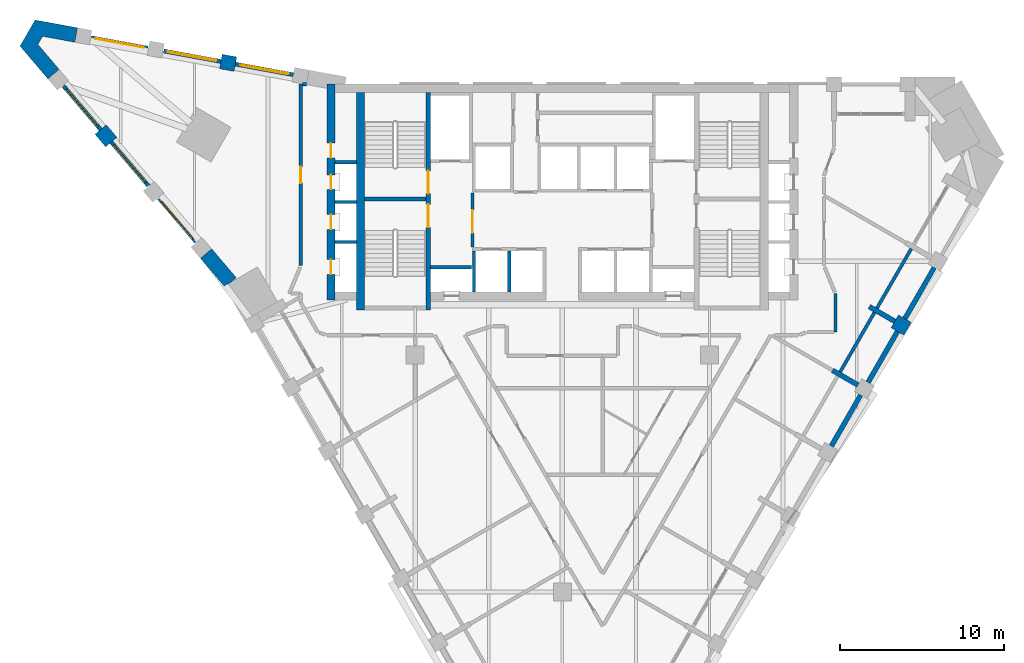
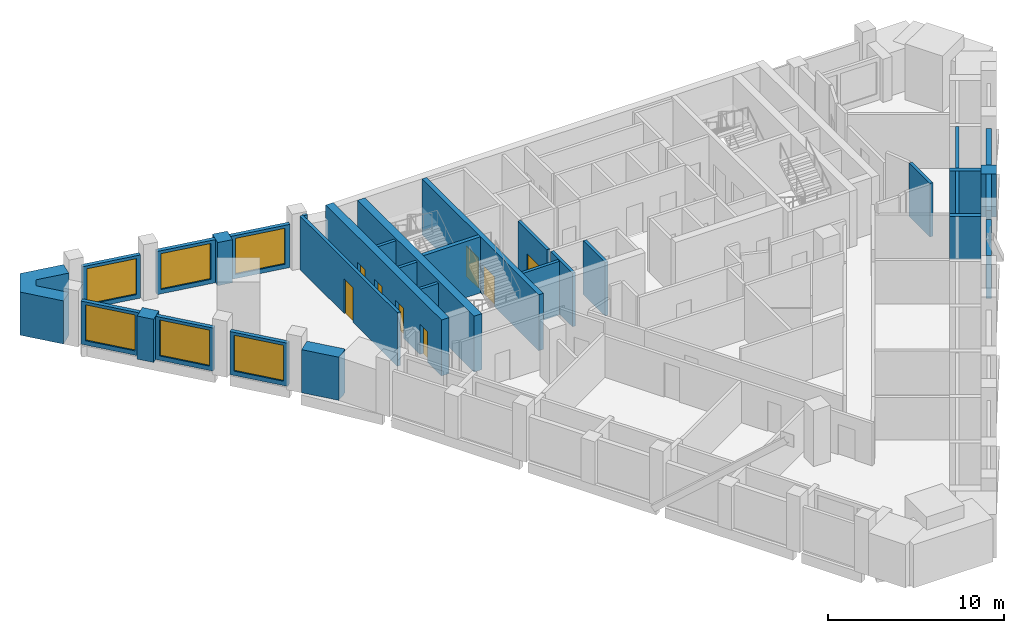
# One storey, part 5 of 9: 32 walls, 8 doors, 6 windows, 14 openings.
"""IFC4 building model written with IfcOpenShell, lengths in metres."""

from ifc_helpers import new_model, si_unit, direction, frame, frame_2d, origin, place, context, subcontext, project, spatial, polyline, rectangle, outline, extrude, material, layer, layer_set, type_object, element, fill, save


model = new_model("IFC4")

# Units and contexts
model_context = context("Model", 3, precision=1e-05, world=origin(), true_north=direction((0.0, 1.0)))
body_context = subcontext(model_context, "Body", "Model", "MODEL_VIEW")
ifc_project = project(units=[si_unit("LENGTHUNIT", "METRE"), si_unit("AREAUNIT", "SQUARE_METRE"), si_unit("VOLUMEUNIT", "CUBIC_METRE"), si_unit("PLANEANGLEUNIT", "RADIAN"), si_unit("MASSUNIT", "GRAM", prefix="KILO")], contexts=[model_context])

# Site, building, storey
site_placement = place(None, origin())
site = spatial("IfcSite", under=ifc_project, at=site_placement, CompositionType="ELEMENT")
building_placement = place(site_placement, origin())
building = spatial("IfcBuilding", under=site, at=building_placement, Name="Calabash Gate Tower", CompositionType="ELEMENT")
storey_placement = place(building_placement, frame((0.0, 0.0, 212.0)))
storey = spatial("IfcBuildingStorey", under=building, at=storey_placement, Name="L50", CompositionType="ELEMENT", Elevation=212.0)

# Walls
ifc_material_1 = material(Name="Terracotta brick masonry, exposed face", Category="masonry")
ifc_layer_1 = layer(ifc_material_1, 0.89990234375)
ifc_layer_set_1 = layer_set([ifc_layer_1], Name="Brick end wall 900")
wall_type_1 = type_object("IfcWallType", Name="Brick end wall 900", PredefinedType="SOLIDWALL", material=ifc_layer_set_1)
for number, where, z_axis, x_axis, name in (
    (1, (20.947509765625, 4.7119140625, 0.0), (0.0, 0.0, 1.0), (-0.50001992892, -0.866013897511, 0.0), "Brick pier S14 SE2.7"),
    (2, (-20.52099609375, 19.91796875, 0.0), (0.0, 0.0, 1.0), (0.180126650564, 0.983643426124, 0.0), "Brick pier S14 wedge5.1"),
):
    element("IfcWall", number, at=place(storey_placement, frame(where, z_axis=z_axis, x_axis=x_axis)), inside=storey, type_object=wall_type_1, Name=name, PredefinedType="SOLIDWALL", context=body_context, shape_type="SweptSolid", body=[
        extrude(rectangle(XDim=0.89990234375, YDim=0.89990234375, at=frame_2d((0.449951171875, 0.0))), origin(), (0.0, 0.0, 1.0), 3.0),
    ])
wall_1_placement = place(storey_placement, frame((-27.587890625, 15.511474609375, 0.0), z_axis=(0.0, 0.0, 1.0), x_axis=(-0.647641360564, 0.761945318305, 0.0)))
element("IfcWall", 3, at=wall_1_placement, inside=storey, type_object=wall_type_1, Name="Brick pier S14 wedge7.1", PredefinedType="SOLIDWALL", context=body_context, shape_type="SweptSolid", body=[
    extrude(rectangle(XDim=1.00390625, YDim=0.89990234375, at=frame_2d((0.501953125, 0.0))), origin(), (0.0, 0.0, 1.0), 3.0),
])
wall_2_placement = place(storey_placement, origin())
element("IfcWall", 4, at=wall_2_placement, inside=storey, type_object=wall_type_1, Name="Brick end wall S14 2", PredefinedType="SOLIDWALL", context=body_context, shape_type="SweptSolid", body=[
    extrude(outline(polyline([(-31.784423828125, 21.978759765625), (-29.816650390625, 21.618896484375), (-29.654541015625, 22.504150390625), (-32.24658203125, 22.978271484375), (-33.168701171875, 21.38134765625), (-31.4619140625, 19.373779296875), (-30.776123046875, 19.956787109375), (-32.072021484375, 21.48095703125), (-31.784423828125, 21.978759765625)])), origin(), (0.0, 0.0, 1.0), 3.0),
])
wall_3_placement = place(storey_placement, origin())
element("IfcWall", 5, at=wall_3_placement, inside=storey, type_object=wall_type_1, Name="Brick end wall S14 3", PredefinedType="SOLIDWALL", context=body_context, shape_type="SweptSolid", body=[
    extrude(outline(polyline([(-19.947998046875, 7.2197265625), (-21.44921875, 8.985595703125), (-22.135009765625, 8.402587890625), (-20.66015625, 6.667724609375), (-20.6806640625, 6.703125), (-20.291015625, 6.92822265625), (-19.947998046875, 7.2197265625)])), origin(), (0.0, 0.0, 1.0), 3.0),
])
ifc_material_2 = material(Name="Terracotta brick masonry, exposed face", Category="masonry")
ifc_layer_2 = layer(ifc_material_2, 0.300048828125)
ifc_layer_set_2 = layer_set([ifc_layer_2], Name="Brick infill panel wall 300")
wall_type_2 = type_object("IfcWallType", Name="Brick infill panel wall 300", PredefinedType="SOLIDWALL", material=ifc_layer_set_2)
wall_4_placement = place(storey_placement, frame((16.447509765625, -3.082275390625, 0.0), z_axis=(0.0, 0.0, 1.0), x_axis=(0.500012057535, 0.866018442252, 0.0)))
element("IfcWall", 6, at=wall_4_placement, inside=storey, type_object=wall_type_2, Name="Brick panel S14 SE2.6", PredefinedType="SOLIDWALL", context=body_context, shape_type="SweptSolid", body=[
    extrude(rectangle(XDim=3.60009765625, YDim=0.300048828125, at=frame_2d((1.800048828125, 0.0))), origin(), (0.0, 0.0, 1.0), 3.0),
])
wall_5_placement = place(storey_placement, frame((18.698486328125, 0.81640625, 0.0), z_axis=(0.0, 0.0, 1.0), x_axis=(0.499984792966, 0.866034183392, 0.0)))
element("IfcWall", 7, at=wall_5_placement, inside=storey, type_object=wall_type_2, Name="Brick panel S14 SE2.7", PredefinedType="SOLIDWALL", context=body_context, shape_type="SweptSolid", body=[
    extrude(rectangle(XDim=3.59814453125, YDim=0.300048828125, at=frame_2d((1.799072265625, 0.0))), origin(), (0.0, 0.0, 1.0), 3.0),
])
wall_6_placement = place(storey_placement, frame((20.947509765625, 4.7119140625, 0.0), z_axis=(0.0, 0.0, 1.0), x_axis=(0.499982693035, 0.866035395735, 0.0)))
element("IfcWall", 8, at=wall_6_placement, inside=storey, type_object=wall_type_2, Name="Brick panel S14 SE2.8", PredefinedType="SOLIDWALL", context=body_context, shape_type="SweptSolid", body=[
    extrude(rectangle(XDim=3.600341796875, YDim=0.300048828125, at=frame_2d((1.80029296875, 0.0))), origin(), (0.0, 0.0, 1.0), 3.0),
])
ifc_material_3 = material(Name="Terracotta brick masonry, exposed face", Category="masonry")
ifc_layer_3 = layer(ifc_material_3, 0.300048828125)
ifc_layer_set_3 = layer_set([ifc_layer_3], Name="Brick loggia cheek wall 300")
wall_type_3 = type_object("IfcWallType", Name="Brick loggia cheek wall 300", PredefinedType="SOLIDWALL", material=ifc_layer_set_3)
wall_7_placement = place(storey_placement, frame((16.52392578125, 1.55029296875, 0.0), z_axis=(0.0, 0.0, 1.0), x_axis=(0.866013897511, -0.50001992892, 0.0)))
element("IfcWall", 9, at=wall_7_placement, inside=storey, type_object=wall_type_3, Name="Loggia cheek S14 SE2.6", PredefinedType="SOLIDWALL", context=body_context, shape_type="SweptSolid", body=[
    extrude(rectangle(XDim=1.7998046875, YDim=0.300048828125, at=frame_2d((0.89990234375, 0.0))), origin(), (0.0, 0.0, 1.0), 3.0),
])
wall_8_placement = place(storey_placement, frame((20.332763671875, 4.54736328125, 0.0), z_axis=(0.0, 0.0, 1.0), x_axis=(-0.866047807691, 0.499961193289, 0.0)))
element("IfcWall", 10, at=wall_8_placement, inside=storey, type_object=wall_type_3, Name="Loggia cheek S14 SE2.7", PredefinedType="SOLIDWALL", context=body_context, shape_type="SweptSolid", body=[
    extrude(rectangle(XDim=1.800048828125, YDim=0.300048828125, at=frame_2d((0.89990234375, 0.0))), origin(), (0.0, 0.0, 1.0), 3.0),
])
ifc_material_4 = material(Name="Concrete C70/85", Category="concrete")
ifc_layer_4 = layer(ifc_material_4, 0.25)
ifc_layer_set_4 = layer_set([ifc_layer_4], Name="Core wall 250 Concrete C70/85")
wall_type_4 = type_object("IfcWallType", Name="Core wall 250 Concrete C70/85", PredefinedType="SHEAR", material=ifc_layer_set_4)
wall_9_placement = place(storey_placement, frame((-12.10009765625, 12.027587890625, 0.0), z_axis=(0.0, 0.0, 1.0), x_axis=(1.0, 0.0, 0.0)))
element("IfcWall", 11, at=wall_9_placement, inside=storey, type_object=wall_type_4, Name="Core wall Z4-MIDW L50", PredefinedType="SHEAR", context=body_context, shape_type="SweptSolid", body=[
    extrude(rectangle(XDim=3.75, YDim=0.25, at=frame_2d((1.875, 0.0))), origin(), (0.0, 0.0, 1.0), 3.89990234375),
])

# Wall, openings, doors
ifc_material_5 = material(Name="Concrete C70/85", Category="concrete")
ifc_layer_5 = layer(ifc_material_5, 0.300048828125)
ifc_layer_set_5 = layer_set([ifc_layer_5], Name="Core wall 300 Concrete C70/85")
wall_type_5 = type_object("IfcWallType", Name="Core wall 300 Concrete C70/85", PredefinedType="SHEAR", material=ifc_layer_set_5)
wall_10_placement = place(storey_placement, frame((-8.199951171875, 5.252685546875, 0.0), z_axis=(0.0, 0.0, 1.0), x_axis=(0.0, 1.0, 0.0)))
wall_10 = element("IfcWall", 12, at=wall_10_placement, inside=storey, type_object=wall_type_5, Name="Core wall Z4-PARTW L50", PredefinedType="SHEAR", context=body_context, shape_type="SweptSolid", body=[
    extrude(rectangle(XDim=13.2998046875, YDim=0.300048828125, at=frame_2d((6.64990234375, 0.0))), origin(), (0.0, 0.0, 1.0), 3.89990234375),
])
opening_1_placement = place(wall_10_placement, frame((7.10009765625, 0.0, 0.0)))
opening_1 = element("IfcOpeningElement", 13, at=opening_1_placement, cuts=wall_10, Name="Opening O6-017", PredefinedType="OPENING", context=body_context, shape_type="SweptSolid", body=[
    extrude(rectangle(XDim=1.39990234375, YDim=2.10009765625, at=frame_2d((0.699951171875, 1.050048828125))), frame((0.0, 0.159912109375, 0.0), z_axis=(0.0, -1.0, 0.0), x_axis=(1.0, 0.0, 0.0)), (0.0, 0.0, 1.0), 0.320068359375),
])
opening_2_placement = place(wall_10_placement, frame((5.050048828125, 0.0, 0.0)))
opening_2 = element("IfcOpeningElement", 14, at=opening_2_placement, cuts=wall_10, Name="Opening O6-018", PredefinedType="OPENING", context=body_context, shape_type="SweptSolid", body=[
    extrude(rectangle(XDim=1.39990234375, YDim=2.10009765625, at=frame_2d((0.699951171875, 1.050048828125))), frame((0.0, 0.159912109375, 0.0), z_axis=(0.0, -1.0, 0.0), x_axis=(1.0, 0.0, 0.0)), (0.0, 0.0, 1.0), 0.320068359375),
])
ifc_material_6 = material(Name="Steel fire door set with fire-resisting glazing", Category="steel")
door_type_1 = type_object("IfcDoorType", Name="Fire door D05 1400x2100 FD90", OperationType="NOTDEFINED", PredefinedType="DOOR", material=ifc_material_6)
door_1_placement = place(opening_1_placement, origin())
door_1 = element("IfcDoor", 15, at=door_1_placement, inside=storey, type_object=door_type_1, Name="Exit stair door ST1", OperationType="SINGLE_SWING_LEFT", OverallHeight=2.10009765625, OverallWidth=1.39990234375, PredefinedType="DOOR", context=body_context, shape_type="SweptSolid", body=[
    extrude(rectangle(XDim=1.39990234375, YDim=2.10009765625, at=frame_2d((0.699951171875, 1.050048828125))), frame((0.0, 0.02490234375, 0.0), z_axis=(0.0, -1.0, 0.0), x_axis=(1.0, 0.0, 0.0)), (0.0, 0.0, 1.0), 0.050048828125),
])
fill(opening_1, door_1)
door_2_placement = place(opening_2_placement, origin())
door_2 = element("IfcDoor", 16, at=door_2_placement, inside=storey, type_object=door_type_1, Name="Exit stair door ST2", OperationType="SINGLE_SWING_LEFT", OverallHeight=2.10009765625, OverallWidth=1.39990234375, PredefinedType="DOOR", context=body_context, shape_type="SweptSolid", body=[
    extrude(rectangle(XDim=1.39990234375, YDim=2.10009765625, at=frame_2d((0.699951171875, 1.050048828125))), frame((0.0, 0.02490234375, 0.0), z_axis=(0.0, -1.0, 0.0), x_axis=(1.0, 0.0, 0.0)), (0.0, 0.0, 1.0), 0.050048828125),
])
fill(opening_2, door_2)

# Wall
ifc_material_7 = material(Name="Concrete C70/85", Category="concrete")
ifc_layer_6 = layer(ifc_material_7, 0.5)
ifc_layer_set_6 = layer_set([ifc_layer_6], Name="Core wall 500 Concrete C70/85")
wall_type_6 = type_object("IfcWallType", Name="Core wall 500 Concrete C70/85", PredefinedType="SHEAR", material=ifc_layer_set_6)
wall_11_placement = place(storey_placement, frame((-12.35009765625, 5.252685546875, 0.0), z_axis=(0.0, 0.0, 1.0), x_axis=(0.0, 1.0, 0.0)))
element("IfcWall", 17, at=wall_11_placement, inside=storey, type_object=wall_type_6, Name="Core wall Z4-COLW L50", PredefinedType="SHEAR", context=body_context, shape_type="SweptSolid", body=[
    extrude(rectangle(XDim=13.2998046875, YDim=0.5, at=frame_2d((6.64990234375, 0.0))), origin(), (0.0, 0.0, 1.0), 3.89990234375),
])

# Wall, openings, doors
wall_12_placement = place(storey_placement, frame((-14.14990234375, 5.8525390625, 0.0), z_axis=(0.0, 0.0, 1.0), x_axis=(0.0, 1.0, 0.0)))
wall_12 = element("IfcWall", 18, at=wall_12_placement, inside=storey, type_object=wall_type_6, Name="Core wall Z4-ENDW L50", PredefinedType="SHEAR", context=body_context, shape_type="SweptSolid", body=[
    extrude(rectangle(XDim=13.199951171875, YDim=0.5, at=frame_2d((6.60009765625, 0.0))), origin(), (0.0, 0.0, 1.0), 3.89990234375),
])
opening_3_placement = place(wall_12_placement, frame((1.574951171875, 0.0, 0.0)))
opening_3 = element("IfcOpeningElement", 19, at=opening_3_placement, cuts=wall_12, Name="Opening O6-005", PredefinedType="OPENING", context=body_context, shape_type="SweptSolid", body=[
    extrude(rectangle(XDim=0.89990234375, YDim=2.10009765625, at=frame_2d((0.449951171875, 1.050048828125))), frame((0.0, 0.260009765625, 0.0), z_axis=(0.0, -1.0, 0.0), x_axis=(1.0, 0.0, 0.0)), (0.0, 0.0, 1.0), 0.52001953125),
])
opening_4_placement = place(wall_12_placement, frame((4.320068359375, 0.0, 0.0)))
opening_4 = element("IfcOpeningElement", 20, at=opening_4_placement, cuts=wall_12, Name="Opening O6-006", PredefinedType="OPENING", context=body_context, shape_type="SweptSolid", body=[
    extrude(rectangle(XDim=0.89990234375, YDim=2.10009765625, at=frame_2d((0.449951171875, 1.050048828125))), frame((0.0, 0.260009765625, 0.0), z_axis=(0.0, -1.0, 0.0), x_axis=(1.0, 0.0, 0.0)), (0.0, 0.0, 1.0), 0.52001953125),
])
opening_5_placement = place(wall_12_placement, frame((6.760009765625, 0.0, 0.0)))
opening_5 = element("IfcOpeningElement", 21, at=opening_5_placement, cuts=wall_12, Name="Opening O6-007", PredefinedType="OPENING", context=body_context, shape_type="SweptSolid", body=[
    extrude(rectangle(XDim=0.89990234375, YDim=2.10009765625, at=frame_2d((0.449951171875, 1.050048828125))), frame((0.0, 0.260009765625, 0.0), z_axis=(0.0, -1.0, 0.0), x_axis=(1.0, 0.0, 0.0)), (0.0, 0.0, 1.0), 0.52001953125),
])
opening_6_placement = place(wall_12_placement, frame((8.697509765625, 0.0, 0.0)))
opening_6 = element("IfcOpeningElement", 22, at=opening_6_placement, cuts=wall_12, Name="Opening O6-008", PredefinedType="OPENING", context=body_context, shape_type="SweptSolid", body=[
    extrude(rectangle(XDim=0.89990234375, YDim=2.10009765625, at=frame_2d((0.449951171875, 1.050048828125))), frame((0.0, 0.260009765625, 0.0), z_axis=(0.0, -1.0, 0.0), x_axis=(1.0, 0.0, 0.0)), (0.0, 0.0, 1.0), 0.52001953125),
])
ifc_material_8 = material(Name="Steel fire door set with fire-resisting glazing", Category="steel")
door_type_2 = type_object("IfcDoorType", Name="Fire door D06 900x2100 FD60", OperationType="NOTDEFINED", PredefinedType="DOOR", material=ifc_material_8)
door_3_placement = place(opening_3_placement, origin())
door_3 = element("IfcDoor", 23, at=door_3_placement, inside=storey, type_object=door_type_2, Name="Duct Riser door", OperationType="SINGLE_SWING_LEFT", OverallHeight=2.10009765625, OverallWidth=0.89990234375, PredefinedType="DOOR", context=body_context, shape_type="SweptSolid", body=[
    extrude(rectangle(XDim=0.89990234375, YDim=2.10009765625, at=frame_2d((0.449951171875, 1.050048828125))), frame((0.0, 0.02490234375, 0.0), z_axis=(0.0, -1.0, 0.0), x_axis=(1.0, 0.0, 0.0)), (0.0, 0.0, 1.0), 0.050048828125),
])
fill(opening_3, door_3)
door_4_placement = place(opening_4_placement, origin())
door_4 = element("IfcDoor", 24, at=door_4_placement, inside=storey, type_object=door_type_2, Name="Electrical Riser door", OperationType="SINGLE_SWING_LEFT", OverallHeight=2.10009765625, OverallWidth=0.89990234375, PredefinedType="DOOR", context=body_context, shape_type="SweptSolid", body=[
    extrude(rectangle(XDim=0.89990234375, YDim=2.10009765625, at=frame_2d((0.449951171875, 1.050048828125))), frame((0.0, 0.02490234375, 0.0), z_axis=(0.0, -1.0, 0.0), x_axis=(1.0, 0.0, 0.0)), (0.0, 0.0, 1.0), 0.050048828125),
])
fill(opening_4, door_4)
door_5_placement = place(opening_5_placement, origin())
door_5 = element("IfcDoor", 25, at=door_5_placement, inside=storey, type_object=door_type_2, Name="Comms Riser door", OperationType="SINGLE_SWING_LEFT", OverallHeight=2.10009765625, OverallWidth=0.89990234375, PredefinedType="DOOR", context=body_context, shape_type="SweptSolid", body=[
    extrude(rectangle(XDim=0.89990234375, YDim=2.10009765625, at=frame_2d((0.449951171875, 1.050048828125))), frame((0.0, 0.02490234375, 0.0), z_axis=(0.0, -1.0, 0.0), x_axis=(1.0, 0.0, 0.0)), (0.0, 0.0, 1.0), 0.050048828125),
])
fill(opening_5, door_5)
door_6_placement = place(opening_6_placement, origin())
door_6 = element("IfcDoor", 26, at=door_6_placement, inside=storey, type_object=door_type_2, Name="Cleaner's Store door", OperationType="SINGLE_SWING_LEFT", OverallHeight=2.10009765625, OverallWidth=0.89990234375, PredefinedType="DOOR", context=body_context, shape_type="SweptSolid", body=[
    extrude(rectangle(XDim=0.89990234375, YDim=2.10009765625, at=frame_2d((0.449951171875, 1.050048828125))), frame((0.0, 0.02490234375, 0.0), z_axis=(0.0, -1.0, 0.0), x_axis=(1.0, 0.0, 0.0)), (0.0, 0.0, 1.0), 0.050048828125),
])
fill(opening_6, door_6)

# Wall
ifc_material_9 = material(Name="Gypsum board on steel studs, mineral wool", Category="steel")
ifc_layer_7 = layer(ifc_material_9, 0.199951171875)
ifc_layer_set_7 = layer_set([ifc_layer_7], Name="Partition 200 gypsum board EI 60")
wall_type_7 = type_object("IfcWallType", Name="Partition 200 gypsum board EI 60", PredefinedType="PARTITIONING", material=ifc_layer_set_7)
wall_13_placement = place(storey_placement, frame((16.700439453125, 3.89990234375, 0.0), z_axis=(0.0, 0.0, 1.0), x_axis=(0.0, 1.0, 0.0)))
element("IfcWall", 27, at=wall_13_placement, inside=storey, type_object=wall_type_7, Name="Partition", PredefinedType="PARTITIONING", context=body_context, shape_type="SweptSolid", body=[
    extrude(rectangle(XDim=2.352783203125, YDim=0.199951171875, at=frame_2d((1.17626953125, 0.0))), origin(), (0.0, 0.0, 1.0), 3.72998046875),
])

# Wall, opening, door
wall_14_placement = place(storey_placement, frame((-16.00048828125, 7.95263671875, 0.0), z_axis=(0.0, 0.0, 1.0), x_axis=(0.0, 1.0, 0.0)))
wall_14 = element("IfcWall", 28, at=wall_14_placement, inside=storey, type_object=wall_type_7, Name="Partition", PredefinedType="PARTITIONING", context=body_context, shape_type="SweptSolid", body=[
    extrude(rectangle(XDim=11.099853515625, YDim=0.199951171875, at=frame_2d((5.5498046875, 0.0))), origin(), (0.0, 0.0, 1.0), 3.72998046875),
])
opening_7_placement = place(wall_14_placement, frame((5.0498046875, 0.0, 0.0)))
opening_7 = element("IfcOpeningElement", 29, at=opening_7_placement, cuts=wall_14, Name="Opening 49-51-010", PredefinedType="OPENING", context=body_context, shape_type="SweptSolid", body=[
    extrude(rectangle(XDim=1.0, YDim=2.39990234375, at=frame_2d((0.5, 1.199951171875))), frame((0.0, 0.10986328125, 0.0), z_axis=(0.0, -1.0, 0.0), x_axis=(1.0, 0.0, 0.0)), (0.0, 0.0, 1.0), 0.219970703125),
])
ifc_material_10 = material(Name="Painted timber door", Category="wood")
door_type_3 = type_object("IfcDoorType", Name="OD2 Glazed office door 1000x2400", OperationType="NOTDEFINED", PredefinedType="DOOR", material=ifc_material_10)
door_7_placement = place(opening_7_placement, origin())
door_7 = element("IfcDoor", 30, at=door_7_placement, inside=storey, type_object=door_type_3, Name="Glazed office door", OperationType="SINGLE_SWING_LEFT", OverallHeight=2.39990234375, OverallWidth=1.0, PredefinedType="DOOR", context=body_context, shape_type="SweptSolid", body=[
    extrude(rectangle(XDim=1.0, YDim=2.39990234375, at=frame_2d((0.5, 1.199951171875))), frame((0.0, 0.02490234375, 0.0), z_axis=(0.0, -1.0, 0.0), x_axis=(1.0, 0.0, 0.0)), (0.0, 0.0, 1.0), 0.050048828125),
])
fill(opening_7, door_7)

# Wall
wall_15_placement = place(storey_placement, frame((-15.900390625, 19.052490234375, 0.0), z_axis=(0.0, 0.0, 1.0), x_axis=(1.0, 0.0, 0.0)))
element("IfcWall", 31, at=wall_15_placement, inside=storey, type_object=wall_type_7, Name="Partition", PredefinedType="PARTITIONING", context=body_context, shape_type="SweptSolid", body=[
    extrude(rectangle(XDim=0.253662109375, YDim=0.199951171875, at=frame_2d((0.126953125, 0.0))), origin(), (0.0, 0.0, 1.0), 3.72998046875),
])

# Wall, opening, window
ifc_material_11 = material(Name="Aluminium framed window wall with insulated spandrel", Category="aluminium")
ifc_layer_8 = layer(ifc_material_11, 0.25)
ifc_layer_set_8 = layer_set([ifc_layer_8], Name="Prow window wall 250")
wall_type_8 = type_object("IfcWallType", Name="Prow window wall 250", PredefinedType="ELEMENTEDWALL", material=ifc_layer_set_8)
wall_16_placement = place(storey_placement, frame((-16.4560546875, 19.631591796875, 0.0), z_axis=(0.0, 0.0, 1.0), x_axis=(-0.983669647318, 0.17998340186, 0.0)))
wall_16 = element("IfcWall", 32, at=wall_16_placement, inside=storey, type_object=wall_type_8, Name="Prow window wall S14 wedge5.1", PredefinedType="ELEMENTEDWALL", context=body_context, shape_type="SweptSolid", body=[
    extrude(rectangle(XDim=3.60009765625, YDim=0.25, at=frame_2d((1.800048828125, 0.0))), origin(), (0.0, 0.0, 1.0), 3.0),
])
opening_8_placement = place(wall_16_placement, frame((0.300048828125, 0.0, 0.300048828125)))
opening_8 = element("IfcOpeningElement", 33, at=opening_8_placement, cuts=wall_16, Name="Opening WP2", PredefinedType="OPENING", context=body_context, shape_type="SweptSolid", body=[
    extrude(rectangle(XDim=3.0, YDim=2.5, at=frame_2d((1.5, 1.25))), frame((0.0, 0.135009765625, 0.0), z_axis=(0.0, -1.0, 0.0), x_axis=(1.0, 0.0, 0.0)), (0.0, 0.0, 1.0), 0.27001953125),
])
ifc_material_12 = material(Name="Anodised aluminium frame, bronze finish, impact-rated laminated clear glazing", Category="aluminium")
window_type = type_object("IfcWindowType", Name="Window WP2 3000x2500", PartitioningType="DOUBLE_PANEL_VERTICAL", PredefinedType="WINDOW", material=ifc_material_12)
window_1_placement = place(opening_8_placement, origin())
window_1 = element("IfcWindow", 34, at=window_1_placement, inside=storey, type_object=window_type, Name="Prow window WP2 S14 wedge5.1", OverallHeight=2.5, OverallWidth=3.0, PartitioningType="SINGLE_PANEL", PredefinedType="WINDOW", context=body_context, shape_type="SweptSolid", body=[
    extrude(rectangle(XDim=3.0, YDim=2.5, at=frame_2d((1.5, 1.25))), frame((0.0, 0.030029296875, 0.0), z_axis=(0.0, -1.0, 0.0), x_axis=(1.0, 0.0, 0.0)), (0.0, 0.0, 1.0), 0.06005859375),
])
fill(opening_8, window_1)

wall_17_placement = place(storey_placement, frame((-20.880615234375, 20.441162109375, 0.0), z_axis=(0.0, 0.0, 1.0), x_axis=(-0.98366583261, 0.180004249274, 0.0)))
wall_17 = element("IfcWall", 35, at=wall_17_placement, inside=storey, type_object=wall_type_8, Name="Prow window wall S14 wedge5.2", PredefinedType="ELEMENTEDWALL", context=body_context, shape_type="SweptSolid", body=[
    extrude(rectangle(XDim=3.55224609375, YDim=0.25, at=frame_2d((1.776123046875, 0.0))), origin(), (0.0, 0.0, 1.0), 3.0),
])
opening_9_placement = place(wall_17_placement, frame((0.302001953125, 0.0, 0.300048828125)))
opening_9 = element("IfcOpeningElement", 36, at=opening_9_placement, cuts=wall_17, Name="Opening WP2", PredefinedType="OPENING", context=body_context, shape_type="SweptSolid", body=[
    extrude(rectangle(XDim=3.0, YDim=2.5, at=frame_2d((1.5, 1.25))), frame((0.0, 0.135009765625, 0.0), z_axis=(0.0, -1.0, 0.0), x_axis=(1.0, 0.0, 0.0)), (0.0, 0.0, 1.0), 0.27001953125),
])
window_2_placement = place(opening_9_placement, origin())
window_2 = element("IfcWindow", 37, at=window_2_placement, inside=storey, type_object=window_type, Name="Prow window WP2 S14 wedge5.2", OverallHeight=2.5, OverallWidth=3.0, PartitioningType="SINGLE_PANEL", PredefinedType="WINDOW", context=body_context, shape_type="SweptSolid", body=[
    extrude(rectangle(XDim=3.0, YDim=2.5, at=frame_2d((1.5, 1.25))), frame((0.0, 0.030029296875, 0.0), z_axis=(0.0, -1.0, 0.0), x_axis=(1.0, 0.0, 0.0)), (0.0, 0.0, 1.0), 0.06005859375),
])
fill(opening_9, window_2)

wall_18_placement = place(storey_placement, frame((-25.3583984375, 21.260498046875, 0.0), z_axis=(0.0, 0.0, 1.0), x_axis=(-0.983672889292, 0.179965682483, 0.0)))
wall_18 = element("IfcWall", 38, at=wall_18_placement, inside=storey, type_object=wall_type_8, Name="Prow window wall S14 wedge5.3", PredefinedType="ELEMENTEDWALL", context=body_context, shape_type="SweptSolid", body=[
    extrude(rectangle(XDim=3.5, YDim=0.25, at=frame_2d((1.75, 0.0))), origin(), (0.0, 0.0, 1.0), 3.0),
])
opening_10_placement = place(wall_18_placement, frame((0.25, 0.0, 0.300048828125)))
opening_10 = element("IfcOpeningElement", 39, at=opening_10_placement, cuts=wall_18, Name="Opening WP2", PredefinedType="OPENING", context=body_context, shape_type="SweptSolid", body=[
    extrude(rectangle(XDim=3.0, YDim=2.5, at=frame_2d((1.5, 1.25))), frame((0.0, 0.135009765625, 0.0), z_axis=(0.0, -1.0, 0.0), x_axis=(1.0, 0.0, 0.0)), (0.0, 0.0, 1.0), 0.27001953125),
])
window_3_placement = place(opening_10_placement, origin())
window_3 = element("IfcWindow", 40, at=window_3_placement, inside=storey, type_object=window_type, Name="Prow window WP2 S14 wedge5.3", OverallHeight=2.5, OverallWidth=3.0, PartitioningType="SINGLE_PANEL", PredefinedType="WINDOW", context=body_context, shape_type="SweptSolid", body=[
    extrude(rectangle(XDim=3.0, YDim=2.5, at=frame_2d((1.5, 1.25))), frame((0.0, 0.030029296875, 0.0), z_axis=(0.0, -1.0, 0.0), x_axis=(1.0, 0.0, 0.0)), (0.0, 0.0, 1.0), 0.06005859375),
])
fill(opening_10, window_3)

wall_19_placement = place(storey_placement, frame((-30.503662109375, 18.94140625, 0.0), z_axis=(0.0, 0.0, 1.0), x_axis=(0.647701065937, -0.761894565661, 0.0)))
wall_19 = element("IfcWall", 41, at=wall_19_placement, inside=storey, type_object=wall_type_8, Name="Prow window wall S14 wedge7.1", PredefinedType="ELEMENTEDWALL", context=body_context, shape_type="SweptSolid", body=[
    extrude(rectangle(XDim=3.499755859375, YDim=0.25, at=frame_2d((1.75, 0.0))), origin(), (0.0, 0.0, 1.0), 3.0),
])
opening_11_placement = place(wall_19_placement, frame((0.25, 0.0, 0.300048828125)))
opening_11 = element("IfcOpeningElement", 42, at=opening_11_placement, cuts=wall_19, Name="Opening WP2", PredefinedType="OPENING", context=body_context, shape_type="SweptSolid", body=[
    extrude(rectangle(XDim=3.0, YDim=2.5, at=frame_2d((1.5, 1.25))), frame((0.0, 0.135009765625, 0.0), z_axis=(0.0, -1.0, 0.0), x_axis=(1.0, 0.0, 0.0)), (0.0, 0.0, 1.0), 0.27001953125),
])
window_4_placement = place(opening_11_placement, origin())
window_4 = element("IfcWindow", 43, at=window_4_placement, inside=storey, type_object=window_type, Name="Prow window WP2 S14 wedge7.1", OverallHeight=2.5, OverallWidth=3.0, PartitioningType="SINGLE_PANEL", PredefinedType="WINDOW", context=body_context, shape_type="SweptSolid", body=[
    extrude(rectangle(XDim=3.0, YDim=2.5, at=frame_2d((1.5, 1.25))), frame((0.0, 0.030029296875, 0.0), z_axis=(0.0, -1.0, 0.0), x_axis=(1.0, 0.0, 0.0)), (0.0, 0.0, 1.0), 0.06005859375),
])
fill(opening_11, window_4)

wall_20_placement = place(storey_placement, frame((-27.589111328125, 15.512939453125, 0.0), z_axis=(0.0, 0.0, 1.0), x_axis=(0.647741556426, -0.761860142073, 0.0)))
wall_20 = element("IfcWall", 44, at=wall_20_placement, inside=storey, type_object=wall_type_8, Name="Prow window wall S14 wedge7.2", PredefinedType="ELEMENTEDWALL", context=body_context, shape_type="SweptSolid", body=[
    extrude(rectangle(XDim=3.5, YDim=0.25, at=frame_2d((1.75, 0.0))), origin(), (0.0, 0.0, 1.0), 3.0),
])
opening_12_placement = place(wall_20_placement, frame((0.25, 0.0, 0.300048828125)))
opening_12 = element("IfcOpeningElement", 45, at=opening_12_placement, cuts=wall_20, Name="Opening WP2", PredefinedType="OPENING", context=body_context, shape_type="SweptSolid", body=[
    extrude(rectangle(XDim=3.0, YDim=2.5, at=frame_2d((1.5, 1.25))), frame((0.0, 0.135009765625, 0.0), z_axis=(0.0, -1.0, 0.0), x_axis=(1.0, 0.0, 0.0)), (0.0, 0.0, 1.0), 0.27001953125),
])
window_5_placement = place(opening_12_placement, origin())
window_5 = element("IfcWindow", 46, at=window_5_placement, inside=storey, type_object=window_type, Name="Prow window WP2 S14 wedge7.2", OverallHeight=2.5, OverallWidth=3.0, PartitioningType="SINGLE_PANEL", PredefinedType="WINDOW", context=body_context, shape_type="SweptSolid", body=[
    extrude(rectangle(XDim=3.0, YDim=2.5, at=frame_2d((1.5, 1.25))), frame((0.0, 0.030029296875, 0.0), z_axis=(0.0, -1.0, 0.0), x_axis=(1.0, 0.0, 0.0)), (0.0, 0.0, 1.0), 0.06005859375),
])
fill(opening_12, window_5)

wall_21_placement = place(storey_placement, frame((-24.67431640625, 12.08447265625, 0.0), z_axis=(0.0, 0.0, 1.0), x_axis=(0.647701065937, -0.761894565661, 0.0)))
wall_21 = element("IfcWall", 47, at=wall_21_placement, inside=storey, type_object=wall_type_8, Name="Prow window wall S14 wedge7.3", PredefinedType="ELEMENTEDWALL", context=body_context, shape_type="SweptSolid", body=[
    extrude(rectangle(XDim=3.499755859375, YDim=0.25, at=frame_2d((1.75, 0.0))), origin(), (0.0, 0.0, 1.0), 3.0),
])
opening_13_placement = place(wall_21_placement, frame((0.25, 0.0, 0.300048828125)))
opening_13 = element("IfcOpeningElement", 48, at=opening_13_placement, cuts=wall_21, Name="Opening WP2", PredefinedType="OPENING", context=body_context, shape_type="SweptSolid", body=[
    extrude(rectangle(XDim=3.0, YDim=2.5, at=frame_2d((1.5, 1.25))), frame((0.0, 0.135009765625, 0.0), z_axis=(0.0, -1.0, 0.0), x_axis=(1.0, 0.0, 0.0)), (0.0, 0.0, 1.0), 0.27001953125),
])
window_6_placement = place(opening_13_placement, origin())
window_6 = element("IfcWindow", 49, at=window_6_placement, inside=storey, type_object=window_type, Name="Prow window WP2 S14 wedge7.3", OverallHeight=2.5, OverallWidth=3.0, PartitioningType="SINGLE_PANEL", PredefinedType="WINDOW", context=body_context, shape_type="SweptSolid", body=[
    extrude(rectangle(XDim=3.0, YDim=2.5, at=frame_2d((1.5, 1.25))), frame((0.0, 0.030029296875, 0.0), z_axis=(0.0, -1.0, 0.0), x_axis=(1.0, 0.0, 0.0)), (0.0, 0.0, 1.0), 0.06005859375),
])
fill(opening_13, window_6)

# Walls
ifc_material_13 = material(Name="Concrete C40/50", Category="concrete")
ifc_layer_9 = layer(ifc_material_13, 0.199951171875)
ifc_layer_set_9 = layer_set([ifc_layer_9], Name="Shaft wall 200 Concrete C40/50")
wall_type_9 = type_object("IfcWallType", Name="Shaft wall 200 Concrete C40/50", PredefinedType="SOLIDWALL", material=ifc_layer_set_9)
for number, where, z_axis, x_axis, name in (
    (50, (-5.39990234375, 6.3525390625, 0.0), (0.0, 0.0, 1.0), (0.0, 1.0, 0.0), "Shaft wall"),
    (51, (-3.25, 6.3525390625, 0.0), (0.0, 0.0, 1.0), (0.0, 1.0, 0.0), "Shaft wall"),
    (52, (-8.050048828125, 7.8525390625, 0.0), (0.0, 0.0, 1.0), (1.0, 0.0, 0.0), "Shaft wall"),
):
    element("IfcWall", number, at=place(storey_placement, frame(where, z_axis=z_axis, x_axis=x_axis)), inside=storey, type_object=wall_type_9, Name=name, PredefinedType="SOLIDWALL", context=body_context, shape_type="SweptSolid", body=[
        extrude(rectangle(XDim=2.5, YDim=0.199951171875, at=frame_2d((1.25, 0.0))), origin(), (0.0, 0.0, 1.0), 3.72998046875),
    ])

# Wall, opening, door
wall_22_placement = place(storey_placement, frame((-5.5, 9.1025390625, 0.0), z_axis=(0.0, 0.0, 1.0), x_axis=(0.0, 1.0, 0.0)))
wall_22 = element("IfcWall", 53, at=wall_22_placement, inside=storey, type_object=wall_type_9, Name="Shaft wall", PredefinedType="SOLIDWALL", context=body_context, shape_type="SweptSolid", body=[
    extrude(rectangle(XDim=3.300048828125, YDim=0.199951171875, at=frame_2d((1.64990234375, 0.0))), origin(), (0.0, 0.0, 1.0), 3.72998046875),
])
opening_14_placement = place(wall_22_placement, frame((0.85009765625, 0.0, 0.0)))
opening_14 = element("IfcOpeningElement", 54, at=opening_14_placement, cuts=wall_22, Name="Opening O6-011", PredefinedType="OPENING", context=body_context, shape_type="SweptSolid", body=[
    extrude(rectangle(XDim=1.39990234375, YDim=2.10009765625, at=frame_2d((0.699951171875, 1.050048828125))), frame((0.0, 0.10986328125, 0.0), z_axis=(0.0, -1.0, 0.0), x_axis=(1.0, 0.0, 0.0)), (0.0, 0.0, 1.0), 0.219970703125),
])
door_8_placement = place(opening_14_placement, origin())
door_8 = element("IfcDoor", 55, at=door_8_placement, inside=storey, type_object=door_type_1, Name="Firefighting Lobby W door", OperationType="SINGLE_SWING_RIGHT", OverallHeight=2.10009765625, OverallWidth=1.39990234375, PredefinedType="DOOR", context=body_context, shape_type="SweptSolid", body=[
    extrude(rectangle(XDim=1.39990234375, YDim=2.10009765625, at=frame_2d((0.699951171875, 1.050048828125))), frame((0.0, 0.02490234375, 0.0), z_axis=(0.0, -1.0, 0.0), x_axis=(1.0, 0.0, 0.0)), (0.0, 0.0, 1.0), 0.050048828125),
])
fill(opening_14, door_8)

# Walls
for number, where, z_axis, x_axis, name in (
    (56, (-13.89990234375, 9.402587890625, 0.0), (0.0, 0.0, 1.0), (1.0, 0.0, 0.0), "Shaft wall"),
    (57, (-13.89990234375, 11.842529296875, 0.0), (0.0, 0.0, 1.0), (1.0, 0.0, 0.0), "Shaft wall"),
    (58, (-13.89990234375, 14.28271484375, 0.0), (0.0, 0.0, 1.0), (1.0, 0.0, 0.0), "Shaft wall"),
):
    element("IfcWall", number, at=place(storey_placement, frame(where, z_axis=z_axis, x_axis=x_axis)), inside=storey, type_object=wall_type_9, Name=name, PredefinedType="SOLIDWALL", context=body_context, shape_type="SweptSolid", body=[
        extrude(rectangle(XDim=1.2998046875, YDim=0.199951171875, at=frame_2d((0.64990234375, 0.0))), origin(), (0.0, 0.0, 1.0), 3.72998046875),
    ])
ifc_material_14 = material(Name="Aluminium framed window wall with insulated spandrel", Category="aluminium")
ifc_layer_10 = layer(ifc_material_14, 0.199951171875)
ifc_layer_set_10 = layer_set([ifc_layer_10], Name="Window wall 200")
wall_type_10 = type_object("IfcWallType", Name="Window wall 200", PredefinedType="ELEMENTEDWALL", material=ifc_layer_set_10)
wall_23_placement = place(storey_placement, frame((16.98876953125, 1.455078125, 0.0), z_axis=(0.0, 0.0, 1.0), x_axis=(0.500002543286, 0.866023935413, 0.0)))
element("IfcWall", 59, at=wall_23_placement, inside=storey, type_object=wall_type_10, Name="Window wall S14 SE2.7", PredefinedType="ELEMENTEDWALL", context=body_context, shape_type="SweptSolid", body=[
    extrude(rectangle(XDim=4.2001953125, YDim=0.199951171875, at=frame_2d((2.10009765625, 0.0))), origin(), (0.0, 0.0, 1.0), 3.0),
])
wall_24_placement = place(storey_placement, frame((19.23876953125, 5.352294921875, 0.0), z_axis=(0.0, 0.0, 1.0), x_axis=(0.500027713859, 0.866009402589, 0.0)))
element("IfcWall", 60, at=wall_24_placement, inside=storey, type_object=wall_type_10, Name="Window wall S14 SE2.8", PredefinedType="ELEMENTEDWALL", context=body_context, shape_type="SweptSolid", body=[
    extrude(rectangle(XDim=4.199951171875, YDim=0.199951171875, at=frame_2d((2.10009765625, 0.0))), origin(), (0.0, 0.0, 1.0), 2.9501953125),
])

save(model, "model.ifc")
